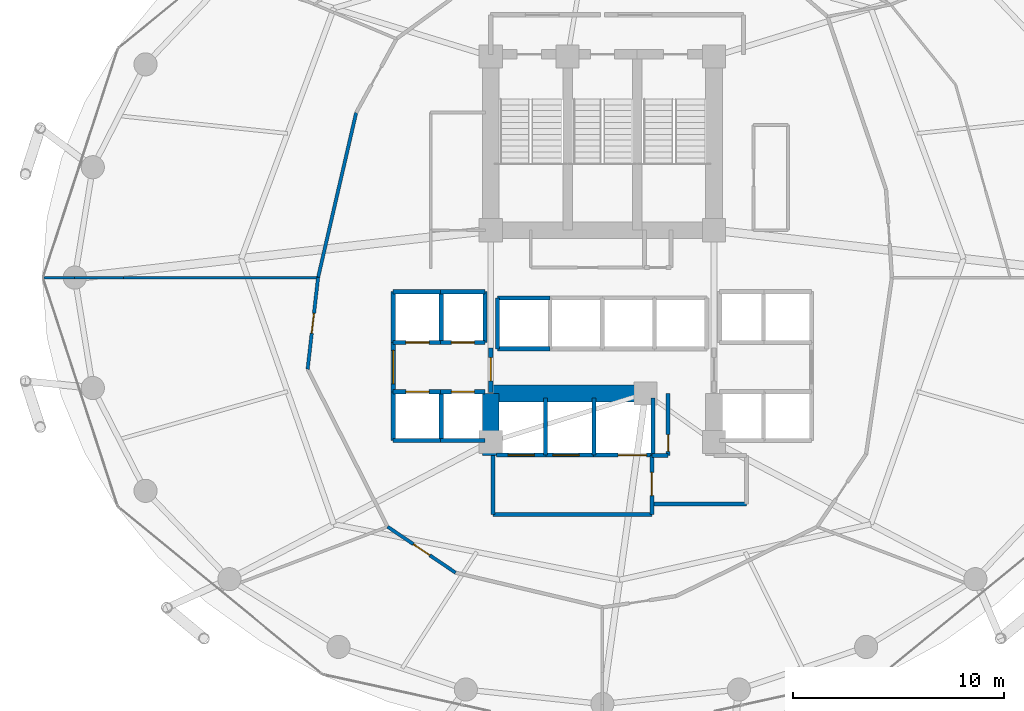
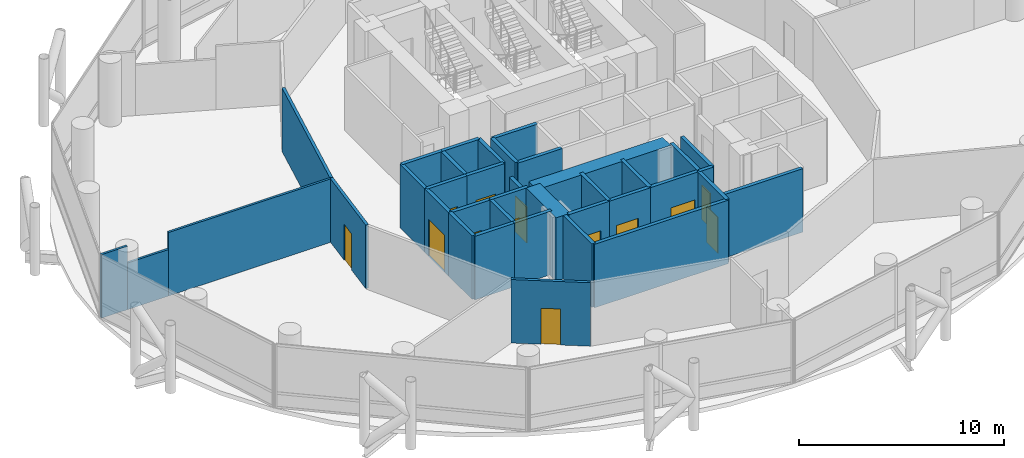
# One storey, part 21 of 25: 38 walls, 13 doors, 13 openings.
"""IFC4 building model written with IfcOpenShell, lengths in metres."""

from ifc_helpers import new_model, si_unit, direction, frame, frame_2d, origin, place, context, subcontext, project, spatial, rectangle, extrude, material, layer, layer_set, type_object, element, fill, save


model = new_model("IFC4")

# Units and contexts
model_context = context("Model", 3, precision=1e-05, world=origin(), true_north=direction((0.0, 1.0)))
body_context = subcontext(model_context, "Body", "Model", "MODEL_VIEW")
ifc_project = project(units=[si_unit("LENGTHUNIT", "METRE"), si_unit("AREAUNIT", "SQUARE_METRE"), si_unit("VOLUMEUNIT", "CUBIC_METRE"), si_unit("PLANEANGLEUNIT", "RADIAN"), si_unit("MASSUNIT", "GRAM", prefix="KILO")], contexts=[model_context])

# Site, building, storey
site_placement = place(None, origin())
site = spatial("IfcSite", under=ifc_project, at=site_placement, CompositionType="ELEMENT")
building_placement = place(site_placement, origin())
building = spatial("IfcBuilding", under=site, at=building_placement, Name="Nuhasar Tower", CompositionType="ELEMENT")
storey_placement = place(building_placement, frame((0.0, 0.0, 49.35009765625)))
storey = spatial("IfcBuildingStorey", under=building, at=storey_placement, Name="L11", CompositionType="ELEMENT", Elevation=49.35009765625)

# Walls
ifc_material_1 = material(Name="Concrete C80/95", Category="concrete")
ifc_layer_1 = layer(ifc_material_1, 0.800048828125)
ifc_layer_set_1 = layer_set([ifc_layer_1], Name="Concrete C80/95")
wall_type_1 = type_object("IfcWallType", Name="WL-CORE-800", PredefinedType="SHEAR", material=ifc_layer_set_1)
wall_1_placement = place(storey_placement, frame((33.699951171875, 18.35009765625, 0.0), z_axis=(0.0, 0.0, 1.0), x_axis=(0.0, 1.0, 0.0)))
element("IfcWall", 1, at=wall_1_placement, inside=storey, type_object=wall_type_1, Name="L11 Core Shear Wall CW-SW CW-800", PredefinedType="SHEAR", context=body_context, shape_type="SweptSolid", body=[
    extrude(rectangle(XDim=2.949951171875, YDim=0.800048828125, at=frame_2d((1.47509765625, 0.0))), origin(), (0.0, 0.0, 1.0), 3.789794921875),
])
wall_2_placement = place(storey_placement, frame((33.699951171875, 21.300048828125, 0.0), z_axis=(0.0, 0.0, 1.0), x_axis=(1.0, 0.0, 0.0)))
element("IfcWall", 2, at=wall_2_placement, inside=storey, type_object=wall_type_1, Name="L11 Core Shear Wall CW-S1 CW-800", PredefinedType="SHEAR", context=body_context, shape_type="SweptSolid", body=[
    extrude(rectangle(XDim=7.550048828125, YDim=0.800048828125, at=frame_2d((3.77490234375, 0.0))), origin(), (0.0, 0.0, 1.0), 3.789794921875),
])
ifc_material_2 = material(Name="Gypsum Board", Category="gypsum")
ifc_layer_2 = layer(ifc_material_2, 0.159912109375)
ifc_layer_set_2 = layer_set([ifc_layer_2], Name="Gypsum Board")
wall_type_2 = type_object("IfcWallType", Name="WL-CORR-160", PredefinedType="PARTITIONING", material=ifc_layer_set_2)
wall_3_placement = place(storey_placement, frame((27.30908203125, 34.6298828125, 0.0), z_axis=(0.0, 0.0, 1.0), x_axis=(-0.225119097915, -0.974331253606, 0.0)))
element("IfcWall", 3, at=wall_3_placement, inside=storey, type_object=wall_type_2, Name="L11 Interior Partition CORR-20", PredefinedType="PARTITIONING", context=body_context, shape_type="SweptSolid", body=[
    extrude(rectangle(XDim=8.0361328125, YDim=0.159912109375, at=frame_2d((4.01806640625, 0.0))), origin(), (0.0, 0.0, 1.0), 3.789794921875),
])

# Wall, opening, door
wall_4_placement = place(storey_placement, frame((25.0048828125, 22.449951171875, 0.0), z_axis=(0.0, 0.0, 1.0), x_axis=(0.113087354365, 0.993585049345, 0.0)))
wall_4 = element("IfcWall", 4, at=wall_4_placement, inside=storey, type_object=wall_type_2, Name="L11 Interior Partition CORR-24", PredefinedType="PARTITIONING", context=body_context, shape_type="SweptSolid", body=[
    extrude(rectangle(XDim=4.378173828125, YDim=0.159912109375, at=frame_2d((2.18896484375, 0.0))), origin(), (0.0, 0.0, 1.0), 3.789794921875),
])
opening_1_placement = place(wall_4_placement, frame((1.714111328125, 0.0, 0.0)))
opening_1 = element("IfcOpeningElement", 5, at=opening_1_placement, cuts=wall_4, Name="Opening DO-01", PredefinedType="OPENING", context=body_context, shape_type="SweptSolid", body=[
    extrude(rectangle(XDim=0.949951171875, YDim=2.14990234375, at=frame_2d((0.47509765625, 1.074951171875))), frame((0.0, 0.08984375, 0.0), z_axis=(0.0, -1.0, 0.0), x_axis=(1.0, 0.0, 0.0)), (0.0, 0.0, 1.0), 0.179931640625),
])
ifc_material_3 = material(Name="Timber Oak", Category="wood")
door_type_1 = type_object("IfcDoorType", Name="DR-OFFICE-FD30-950", OperationType="NOTDEFINED", PredefinedType="DOOR", material=ifc_material_3)
door_1_placement = place(opening_1_placement, origin())
door_1 = element("IfcDoor", 6, at=door_1_placement, inside=storey, type_object=door_type_1, Name="L11 Law Reference Library Entry Door", OperationType="SINGLE_SWING_LEFT", OverallHeight=2.14990234375, OverallWidth=0.949951171875, PredefinedType="DOOR", context=body_context, shape_type="SweptSolid", body=[
    extrude(rectangle(XDim=0.949951171875, YDim=2.14990234375, at=frame_2d((0.47509765625, 1.074951171875))), frame((0.0, 0.02490234375, 0.0), z_axis=(0.0, -1.0, 0.0), x_axis=(1.0, 0.0, 0.0)), (0.0, 0.0, 1.0), 0.050048828125),
])
fill(opening_1, door_1)

wall_5_placement = place(storey_placement, frame((32.027099609375, 12.7900390625, 0.0), z_axis=(0.0, 0.0, 1.0), x_axis=(-0.828570886609, 0.559884171828, 0.0)))
wall_5 = element("IfcWall", 7, at=wall_5_placement, inside=storey, type_object=wall_type_2, Name="L11 Interior Partition CORR-30", PredefinedType="PARTITIONING", context=body_context, shape_type="SweptSolid", body=[
    extrude(rectangle(XDim=3.8935546875, YDim=0.159912109375, at=frame_2d((1.94677734375, 0.0))), origin(), (0.0, 0.0, 1.0), 3.789794921875),
])
opening_2_placement = place(wall_5_placement, frame((1.471923828125, 0.0, 0.0)))
opening_2 = element("IfcOpeningElement", 8, at=opening_2_placement, cuts=wall_5, Name="Opening DO-01", PredefinedType="OPENING", context=body_context, shape_type="SweptSolid", body=[
    extrude(rectangle(XDim=0.949951171875, YDim=2.14990234375, at=frame_2d((0.47509765625, 1.074951171875))), frame((0.0, 0.08984375, 0.0), z_axis=(0.0, -1.0, 0.0), x_axis=(1.0, 0.0, 0.0)), (0.0, 0.0, 1.0), 0.179931640625),
])
door_2_placement = place(opening_2_placement, origin())
door_2 = element("IfcDoor", 9, at=door_2_placement, inside=storey, type_object=door_type_1, Name="L11 Legal Chambers C Entry Door", OperationType="SINGLE_SWING_LEFT", OverallHeight=2.14990234375, OverallWidth=0.949951171875, PredefinedType="DOOR", context=body_context, shape_type="SweptSolid", body=[
    extrude(rectangle(XDim=0.949951171875, YDim=2.14990234375, at=frame_2d((0.47509765625, 1.074951171875))), frame((0.0, 0.02490234375, 0.0), z_axis=(0.0, -1.0, 0.0), x_axis=(1.0, 0.0, 0.0)), (0.0, 0.0, 1.0), 0.050048828125),
])
fill(opening_2, door_2)

ifc_material_4 = material(Name="Concrete C45/55", Category="concrete")
ifc_layer_3 = layer(ifc_material_4, 0.199951171875)
ifc_layer_set_3 = layer_set([ifc_layer_3], Name="Concrete C45/55")
wall_type_3 = type_object("IfcWallType", Name="WL-LOBBY-200", PredefinedType="SOLIDWALL", material=ifc_layer_set_3)
wall_6_placement = place(storey_placement, frame((29.070068359375, 21.3798828125, 0.0), z_axis=(0.0, 0.0, 1.0), x_axis=(0.0, 1.0, 0.0)))
wall_6 = element("IfcWall", 10, at=wall_6_placement, inside=storey, type_object=wall_type_3, Name="L11 Interior Partition LLBL-W", PredefinedType="SOLIDWALL", context=body_context, shape_type="SweptSolid", body=[
    extrude(rectangle(XDim=2.340087890625, YDim=0.199951171875, at=frame_2d((1.169921875, 0.0))), origin(), (0.0, 0.0, 1.0), 3.789794921875),
])
opening_3_placement = place(wall_6_placement, frame((0.3701171875, 0.0, 0.0)))
opening_3 = element("IfcOpeningElement", 11, at=opening_3_placement, cuts=wall_6, Name="Opening DC-01", PredefinedType="OPENING", context=body_context, shape_type="SweptSolid", body=[
    extrude(rectangle(XDim=1.60009765625, YDim=2.199951171875, at=frame_2d((0.800048828125, 1.10009765625))), frame((0.0, 0.10986328125, 0.0), z_axis=(0.0, -1.0, 0.0), x_axis=(1.0, 0.0, 0.0)), (0.0, 0.0, 1.0), 0.219970703125),
])
ifc_material_5 = material(Name="Steel S355", Category="steel")
door_type_2 = type_object("IfcDoorType", Name="DR-CORR-FD60-1600", OperationType="DOUBLE_DOOR_SINGLE_SWING", PredefinedType="DOOR", material=ifc_material_5)
door_3_placement = place(opening_3_placement, origin())
door_3 = element("IfcDoor", 12, at=door_3_placement, inside=storey, type_object=door_type_2, Name="L11 Low-Rise Lift Lobby West Entry", OperationType="DOUBLE_DOOR_SINGLE_SWING", OverallHeight=2.199951171875, OverallWidth=1.60009765625, PredefinedType="DOOR", context=body_context, shape_type="SweptSolid", body=[
    extrude(rectangle(XDim=1.60009765625, YDim=2.199951171875, at=frame_2d((0.800048828125, 1.10009765625))), frame((0.0, 0.02490234375, 0.0), z_axis=(0.0, -1.0, 0.0), x_axis=(1.0, 0.0, 0.0)), (0.0, 0.0, 1.0), 0.050048828125),
])
fill(opening_3, door_3)

wall_7_placement = place(storey_placement, frame((33.699951171875, 21.35009765625, 0.0), z_axis=(0.0, 0.0, 1.0), x_axis=(0.0, 1.0, 0.0)))
wall_7 = element("IfcWall", 13, at=wall_7_placement, inside=storey, type_object=wall_type_3, Name="L11 Interior Partition LLBH-W", PredefinedType="SOLIDWALL", context=body_context, shape_type="SweptSolid", body=[
    extrude(rectangle(XDim=2.099853515625, YDim=0.199951171875, at=frame_2d((1.0498046875, 0.0))), origin(), (0.0, 0.0, 1.0), 3.010009765625),
])
opening_4_placement = place(wall_7_placement, frame((0.550048828125, 0.0, 0.0)))
opening_4 = element("IfcOpeningElement", 14, at=opening_4_placement, cuts=wall_7, Name="Opening DS-02", PredefinedType="OPENING", context=body_context, shape_type="SweptSolid", body=[
    extrude(rectangle(XDim=1.10009765625, YDim=2.14990234375, at=frame_2d((0.550048828125, 1.074951171875))), frame((0.0, 0.10986328125, 0.0), z_axis=(0.0, -1.0, 0.0), x_axis=(1.0, 0.0, 0.0)), (0.0, 0.0, 1.0), 0.219970703125),
])
door_type_3 = type_object("IfcDoorType", Name="DR-FFL-FD120-1100", OperationType="NOTDEFINED", PredefinedType="DOOR", material=ifc_material_5)
door_4_placement = place(opening_4_placement, origin())
door_4 = element("IfcDoor", 15, at=door_4_placement, inside=storey, type_object=door_type_3, Name="L11 High-Rise Lobby West Door", OperationType="SINGLE_SWING_RIGHT", OverallHeight=2.14990234375, OverallWidth=1.10009765625, PredefinedType="DOOR", context=body_context, shape_type="SweptSolid", body=[
    extrude(rectangle(XDim=1.10009765625, YDim=2.14990234375, at=frame_2d((0.550048828125, 1.074951171875))), frame((0.0, 0.02490234375, 0.0), z_axis=(0.0, -1.0, 0.0), x_axis=(1.0, 0.0, 0.0)), (0.0, 0.0, 1.0), 0.050048828125),
])
fill(opening_4, door_4)

# Walls
wall_8_placement = place(storey_placement, frame((33.800048828125, 15.550048828125, 0.0), z_axis=(0.0, 0.0, 1.0), x_axis=(1.0, 0.0, 0.0)))
element("IfcWall", 16, at=wall_8_placement, inside=storey, type_object=wall_type_3, Name="L11 Interior Partition FFL-S", PredefinedType="SOLIDWALL", context=body_context, shape_type="SweptSolid", body=[
    extrude(rectangle(XDim=7.550048828125, YDim=0.199951171875, at=frame_2d((3.77490234375, 0.0))), origin(), (0.0, 0.0, 1.0), 3.789794921875),
])
wall_9_placement = place(storey_placement, frame((33.800048828125, 15.550048828125, 0.0), z_axis=(0.0, 0.0, 1.0), x_axis=(0.0, 1.0, 0.0)))
element("IfcWall", 17, at=wall_9_placement, inside=storey, type_object=wall_type_3, Name="L11 Interior Partition FFL-W", PredefinedType="SOLIDWALL", context=body_context, shape_type="SweptSolid", body=[
    extrude(rectangle(XDim=2.800048828125, YDim=0.199951171875, at=frame_2d((1.39990234375, 0.0))), origin(), (0.0, 0.0, 1.0), 3.789794921875),
])

# Wall, opening, door
wall_10_placement = place(storey_placement, frame((41.35009765625, 15.550048828125, 0.0), z_axis=(0.0, 0.0, 1.0), x_axis=(0.0, 1.0, 0.0)))
wall_10 = element("IfcWall", 18, at=wall_10_placement, inside=storey, type_object=wall_type_3, Name="L11 Interior Partition FFL-E", PredefinedType="SOLIDWALL", context=body_context, shape_type="SweptSolid", body=[
    extrude(rectangle(XDim=2.800048828125, YDim=0.199951171875, at=frame_2d((1.39990234375, 0.0))), origin(), (0.0, 0.0, 1.0), 3.789794921875),
])
opening_5_placement = place(wall_10_placement, frame((0.89990234375, 0.0, 0.0)))
opening_5 = element("IfcOpeningElement", 19, at=opening_5_placement, cuts=wall_10, Name="Opening DS-02", PredefinedType="OPENING", context=body_context, shape_type="SweptSolid", body=[
    extrude(rectangle(XDim=1.10009765625, YDim=2.14990234375, at=frame_2d((0.550048828125, 1.074951171875))), frame((0.0, 0.10986328125, 0.0), z_axis=(0.0, -1.0, 0.0), x_axis=(1.0, 0.0, 0.0)), (0.0, 0.0, 1.0), 0.219970703125),
])
door_5_placement = place(opening_5_placement, origin())
door_5 = element("IfcDoor", 20, at=door_5_placement, inside=storey, type_object=door_type_3, Name="L11 Firefighting Lobby Door", OperationType="SINGLE_SWING_RIGHT", OverallHeight=2.14990234375, OverallWidth=1.10009765625, PredefinedType="DOOR", context=body_context, shape_type="SweptSolid", body=[
    extrude(rectangle(XDim=1.10009765625, YDim=2.14990234375, at=frame_2d((0.550048828125, 1.074951171875))), frame((0.0, 0.02490234375, 0.0), z_axis=(0.0, -1.0, 0.0), x_axis=(1.0, 0.0, 0.0)), (0.0, 0.0, 1.0), 0.050048828125),
])
fill(opening_5, door_5)

# Walls
wall_11_placement = place(storey_placement, frame((41.35009765625, 16.050048828125, 0.0), z_axis=(0.0, 0.0, 1.0), x_axis=(1.0, 0.0, 0.0)))
element("IfcWall", 21, at=wall_11_placement, inside=storey, type_object=wall_type_3, Name="L11 Interior Partition SVLV-S", PredefinedType="SOLIDWALL", context=body_context, shape_type="SweptSolid", body=[
    extrude(rectangle(XDim=4.5, YDim=0.199951171875, at=frame_2d((2.25, 0.0))), origin(), (0.0, 0.0, 1.0), 3.789794921875),
])
ifc_layer_4 = layer(ifc_material_2, 0.125)
ifc_layer_set_4 = layer_set([ifc_layer_4], Name="Gypsum Board")
wall_type_4 = type_object("IfcWallType", Name="WL-PART-125", PredefinedType="PARTITIONING", material=ifc_layer_set_4)
wall_12_placement = place(storey_placement, frame((25.5, 26.800048828125, 0.0), z_axis=(0.0, 0.0, 1.0), x_axis=(-1.0, 0.0, 0.0)))
element("IfcWall", 22, at=wall_12_placement, inside=storey, type_object=wall_type_4, Name="L11 Interior Partition ORAD-24", PredefinedType="PARTITIONING", context=body_context, shape_type="SweptSolid", body=[
    extrude(rectangle(XDim=9.22998046875, YDim=0.125, at=frame_2d((4.614990234375, 0.0))), origin(), (0.0, 0.0, 1.0), 3.789794921875),
])
wall_13_placement = place(storey_placement, frame((16.27001953125, 26.800048828125, 0.0), z_axis=(0.0, 0.0, 1.0), x_axis=(-1.0, 0.0, 0.0)))
element("IfcWall", 23, at=wall_13_placement, inside=storey, type_object=wall_type_4, Name="L11 Interior Partition ORAD-24", PredefinedType="PARTITIONING", context=body_context, shape_type="SweptSolid", body=[
    extrude(rectangle(XDim=2.326904296875, YDim=0.125, at=frame_2d((1.16357421875, 0.0))), origin(), (0.0, 0.0, 1.0), 2.77978515625),
])
wall_14_placement = place(storey_placement, frame((13.943115234375, 26.800048828125, 0.0), z_axis=(0.0, 0.0, 1.0), x_axis=(-1.0, 0.0, 0.0)))
element("IfcWall", 24, at=wall_14_placement, inside=storey, type_object=wall_type_4, Name="L11 Interior Partition ORAD-24", PredefinedType="PARTITIONING", context=body_context, shape_type="SweptSolid", body=[
    extrude(rectangle(XDim=1.468017578125, YDim=0.125, at=frame_2d((0.73388671875, 0.0))), origin(), (0.0, 0.0, 1.0), 3.789794921875),
])

# Wall, opening, door
ifc_layer_5 = layer(ifc_material_4, 0.199951171875)
ifc_layer_set_5 = layer_set([ifc_layer_5], Name="Concrete C45/55")
wall_type_5 = type_object("IfcWallType", Name="WL-SHAFT-200", PredefinedType="SOLIDWALL", material=ifc_layer_set_5)
wall_15_placement = place(storey_placement, frame((29.070068359375, 23.719970703125, 0.0), z_axis=(0.0, 0.0, 1.0), x_axis=(1.0, 0.0, 0.0)))
wall_15 = element("IfcWall", 25, at=wall_15_placement, inside=storey, type_object=wall_type_5, Name="L11 Interior Partition SHF-PL-L01-S", PredefinedType="SOLIDWALL", context=body_context, shape_type="SweptSolid", body=[
    extrude(rectangle(XDim=2.309814453125, YDim=0.199951171875, at=frame_2d((1.15478515625, 0.0))), origin(), (0.0, 0.0, 1.0), 3.789794921875),
])
opening_6_placement = place(wall_15_placement, frame((0.60498046875, 0.0, 0.0)))
opening_6 = element("IfcOpeningElement", 26, at=opening_6_placement, cuts=wall_15, Name="Opening LD-L01", PredefinedType="OPENING", context=body_context, shape_type="SweptSolid", body=[
    extrude(rectangle(XDim=1.10009765625, YDim=2.14990234375, at=frame_2d((0.550048828125, 1.074951171875))), frame((0.0, 0.10986328125, 0.0), z_axis=(0.0, -1.0, 0.0), x_axis=(1.0, 0.0, 0.0)), (0.0, 0.0, 1.0), 0.219970703125),
])
ifc_material_6 = material(Name="Stainless Steel 316L", Category="steel")
door_type_4 = type_object("IfcDoorType", Name="LD-PAX-1100", OperationType="DOUBLE_DOOR_SLIDING", PredefinedType="DOOR", material=ifc_material_6)
door_6_placement = place(opening_6_placement, origin())
door_6 = element("IfcDoor", 27, at=door_6_placement, inside=storey, type_object=door_type_4, Name="L11 Lift Landing Door PL-L01", OperationType="DOUBLE_DOOR_SLIDING", OverallHeight=2.14990234375, OverallWidth=1.10009765625, PredefinedType="DOOR", context=body_context, shape_type="SweptSolid", body=[
    extrude(rectangle(XDim=1.10009765625, YDim=2.14990234375, at=frame_2d((0.550048828125, 1.074951171875))), frame((0.0, 0.02490234375, 0.0), z_axis=(0.0, -1.0, 0.0), x_axis=(1.0, 0.0, 0.0)), (0.0, 0.0, 1.0), 0.050048828125),
])
fill(opening_6, door_6)

# Walls
wall_16_placement = place(storey_placement, frame((29.070068359375, 26.1298828125, 0.0), z_axis=(0.0, 0.0, 1.0), x_axis=(1.0, 0.0, 0.0)))
element("IfcWall", 28, at=wall_16_placement, inside=storey, type_object=wall_type_5, Name="L11 Interior Partition SHF-PL-L01-N", PredefinedType="SOLIDWALL", context=body_context, shape_type="SweptSolid", body=[
    extrude(rectangle(XDim=2.309814453125, YDim=0.199951171875, at=frame_2d((1.15478515625, 0.0))), origin(), (0.0, 0.0, 1.0), 3.789794921875),
])
for number, where, z_axis, x_axis, name in (
    (29, (29.070068359375, 23.719970703125, 0.0), (0.0, 0.0, 1.0), (0.0, 1.0, 0.0), "L11 Interior Partition SHF-PL-L01-W"),
    (30, (31.35009765625, 23.719970703125, 0.0), (0.0, 0.0, 1.0), (0.0, 1.0, 0.0), "L11 Interior Partition SHF-PL-L01-E"),
):
    element("IfcWall", number, at=place(storey_placement, frame(where, z_axis=z_axis, x_axis=x_axis)), inside=storey, type_object=wall_type_5, Name=name, PredefinedType="SOLIDWALL", context=body_context, shape_type="SweptSolid", body=[
        extrude(rectangle(XDim=2.409912109375, YDim=0.199951171875, at=frame_2d((1.205078125, 0.0))), origin(), (0.0, 0.0, 1.0), 3.789794921875),
    ])

# Wall, opening, door
wall_17_placement = place(storey_placement, frame((31.320068359375, 23.719970703125, 0.0), z_axis=(0.0, 0.0, 1.0), x_axis=(1.0, 0.0, 0.0)))
wall_17 = element("IfcWall", 31, at=wall_17_placement, inside=storey, type_object=wall_type_5, Name="L11 Interior Partition SHF-PL-L02-S", PredefinedType="SOLIDWALL", context=body_context, shape_type="SweptSolid", body=[
    extrude(rectangle(XDim=2.10986328125, YDim=0.199951171875, at=frame_2d((1.054931640625, 0.0))), origin(), (0.0, 0.0, 1.0), 3.789794921875),
])
opening_7_placement = place(wall_17_placement, frame((0.5048828125, 0.0, 0.0)))
opening_7 = element("IfcOpeningElement", 32, at=opening_7_placement, cuts=wall_17, Name="Opening LD-L02", PredefinedType="OPENING", context=body_context, shape_type="SweptSolid", body=[
    extrude(rectangle(XDim=1.10009765625, YDim=2.14990234375, at=frame_2d((0.550048828125, 1.074951171875))), frame((0.0, 0.10986328125, 0.0), z_axis=(0.0, -1.0, 0.0), x_axis=(1.0, 0.0, 0.0)), (0.0, 0.0, 1.0), 0.219970703125),
])
door_7_placement = place(opening_7_placement, origin())
door_7 = element("IfcDoor", 33, at=door_7_placement, inside=storey, type_object=door_type_4, Name="L11 Lift Landing Door PL-L02", OperationType="DOUBLE_DOOR_SLIDING", OverallHeight=2.14990234375, OverallWidth=1.10009765625, PredefinedType="DOOR", context=body_context, shape_type="SweptSolid", body=[
    extrude(rectangle(XDim=1.10009765625, YDim=2.14990234375, at=frame_2d((0.550048828125, 1.074951171875))), frame((0.0, 0.02490234375, 0.0), z_axis=(0.0, -1.0, 0.0), x_axis=(1.0, 0.0, 0.0)), (0.0, 0.0, 1.0), 0.050048828125),
])
fill(opening_7, door_7)

# Walls
wall_18_placement = place(storey_placement, frame((31.320068359375, 26.1298828125, 0.0), z_axis=(0.0, 0.0, 1.0), x_axis=(1.0, 0.0, 0.0)))
element("IfcWall", 34, at=wall_18_placement, inside=storey, type_object=wall_type_5, Name="L11 Interior Partition SHF-PL-L02-N", PredefinedType="SOLIDWALL", context=body_context, shape_type="SweptSolid", body=[
    extrude(rectangle(XDim=2.10986328125, YDim=0.199951171875, at=frame_2d((1.054931640625, 0.0))), origin(), (0.0, 0.0, 1.0), 3.789794921875),
])
wall_19_placement = place(storey_placement, frame((33.429931640625, 23.719970703125, 0.0), z_axis=(0.0, 0.0, 1.0), x_axis=(0.0, 1.0, 0.0)))
element("IfcWall", 35, at=wall_19_placement, inside=storey, type_object=wall_type_5, Name="L11 Interior Partition SHF-PL-L02-E", PredefinedType="SOLIDWALL", context=body_context, shape_type="SweptSolid", body=[
    extrude(rectangle(XDim=2.409912109375, YDim=0.199951171875, at=frame_2d((1.205078125, 0.0))), origin(), (0.0, 0.0, 1.0), 3.789794921875),
])
wall_20_placement = place(storey_placement, frame((29.070068359375, 19.070068359375, 0.0), z_axis=(0.0, 0.0, 1.0), x_axis=(1.0, 0.0, 0.0)))
element("IfcWall", 36, at=wall_20_placement, inside=storey, type_object=wall_type_5, Name="L11 Interior Partition SHF-PL-L03-S", PredefinedType="SOLIDWALL", context=body_context, shape_type="SweptSolid", body=[
    extrude(rectangle(XDim=2.309814453125, YDim=0.199951171875, at=frame_2d((1.15478515625, 0.0))), origin(), (0.0, 0.0, 1.0), 3.789794921875),
])

# Wall, opening, door
wall_21_placement = place(storey_placement, frame((29.070068359375, 21.3798828125, 0.0), z_axis=(0.0, 0.0, 1.0), x_axis=(1.0, 0.0, 0.0)))
wall_21 = element("IfcWall", 37, at=wall_21_placement, inside=storey, type_object=wall_type_5, Name="L11 Interior Partition SHF-PL-L03-N", PredefinedType="SOLIDWALL", context=body_context, shape_type="SweptSolid", body=[
    extrude(rectangle(XDim=2.309814453125, YDim=0.199951171875, at=frame_2d((1.15478515625, 0.0))), origin(), (0.0, 0.0, 1.0), 3.789794921875),
])
opening_8_placement = place(wall_21_placement, frame((0.60498046875, 0.0, 0.0)))
opening_8 = element("IfcOpeningElement", 38, at=opening_8_placement, cuts=wall_21, Name="Opening LD-L03", PredefinedType="OPENING", context=body_context, shape_type="SweptSolid", body=[
    extrude(rectangle(XDim=1.10009765625, YDim=2.14990234375, at=frame_2d((0.550048828125, 1.074951171875))), frame((0.0, 0.10986328125, 0.0), z_axis=(0.0, -1.0, 0.0), x_axis=(1.0, 0.0, 0.0)), (0.0, 0.0, 1.0), 0.219970703125),
])
door_8_placement = place(opening_8_placement, origin())
door_8 = element("IfcDoor", 39, at=door_8_placement, inside=storey, type_object=door_type_4, Name="L11 Lift Landing Door PL-L03", OperationType="DOUBLE_DOOR_SLIDING", OverallHeight=2.14990234375, OverallWidth=1.10009765625, PredefinedType="DOOR", context=body_context, shape_type="SweptSolid", body=[
    extrude(rectangle(XDim=1.10009765625, YDim=2.14990234375, at=frame_2d((0.550048828125, 1.074951171875))), frame((0.0, 0.02490234375, 0.0), z_axis=(0.0, -1.0, 0.0), x_axis=(1.0, 0.0, 0.0)), (0.0, 0.0, 1.0), 0.050048828125),
])
fill(opening_8, door_8)

# Walls
for number, where, z_axis, x_axis, name in (
    (40, (29.070068359375, 19.070068359375, 0.0), (0.0, 0.0, 1.0), (0.0, 1.0, 0.0), "L11 Interior Partition SHF-PL-L03-W"),
    (41, (31.35009765625, 19.070068359375, 0.0), (0.0, 0.0, 1.0), (0.0, 1.0, 0.0), "L11 Interior Partition SHF-PL-L03-E"),
):
    element("IfcWall", number, at=place(storey_placement, frame(where, z_axis=z_axis, x_axis=x_axis)), inside=storey, type_object=wall_type_5, Name=name, PredefinedType="SOLIDWALL", context=body_context, shape_type="SweptSolid", body=[
        extrude(rectangle(XDim=2.309814453125, YDim=0.199951171875, at=frame_2d((1.15478515625, 0.0))), origin(), (0.0, 0.0, 1.0), 3.789794921875),
    ])
wall_22_placement = place(storey_placement, frame((31.320068359375, 19.070068359375, 0.0), z_axis=(0.0, 0.0, 1.0), x_axis=(1.0, 0.0, 0.0)))
element("IfcWall", 42, at=wall_22_placement, inside=storey, type_object=wall_type_5, Name="L11 Interior Partition SHF-PL-L04-S", PredefinedType="SOLIDWALL", context=body_context, shape_type="SweptSolid", body=[
    extrude(rectangle(XDim=2.10986328125, YDim=0.199951171875, at=frame_2d((1.054931640625, 0.0))), origin(), (0.0, 0.0, 1.0), 3.789794921875),
])

# Wall, opening, door
wall_23_placement = place(storey_placement, frame((31.320068359375, 21.3798828125, 0.0), z_axis=(0.0, 0.0, 1.0), x_axis=(1.0, 0.0, 0.0)))
wall_23 = element("IfcWall", 43, at=wall_23_placement, inside=storey, type_object=wall_type_5, Name="L11 Interior Partition SHF-PL-L04-N", PredefinedType="SOLIDWALL", context=body_context, shape_type="SweptSolid", body=[
    extrude(rectangle(XDim=2.10986328125, YDim=0.199951171875, at=frame_2d((1.054931640625, 0.0))), origin(), (0.0, 0.0, 1.0), 3.789794921875),
])
opening_9_placement = place(wall_23_placement, frame((0.5048828125, 0.0, 0.0)))
opening_9 = element("IfcOpeningElement", 44, at=opening_9_placement, cuts=wall_23, Name="Opening LD-L04", PredefinedType="OPENING", context=body_context, shape_type="SweptSolid", body=[
    extrude(rectangle(XDim=1.10009765625, YDim=2.14990234375, at=frame_2d((0.550048828125, 1.074951171875))), frame((0.0, 0.10986328125, 0.0), z_axis=(0.0, -1.0, 0.0), x_axis=(1.0, 0.0, 0.0)), (0.0, 0.0, 1.0), 0.219970703125),
])
door_9_placement = place(opening_9_placement, origin())
door_9 = element("IfcDoor", 45, at=door_9_placement, inside=storey, type_object=door_type_4, Name="L11 Lift Landing Door PL-L04", OperationType="DOUBLE_DOOR_SLIDING", OverallHeight=2.14990234375, OverallWidth=1.10009765625, PredefinedType="DOOR", context=body_context, shape_type="SweptSolid", body=[
    extrude(rectangle(XDim=1.10009765625, YDim=2.14990234375, at=frame_2d((0.550048828125, 1.074951171875))), frame((0.0, 0.02490234375, 0.0), z_axis=(0.0, -1.0, 0.0), x_axis=(1.0, 0.0, 0.0)), (0.0, 0.0, 1.0), 0.050048828125),
])
fill(opening_9, door_9)

# Walls
for number, where, z_axis, x_axis, name in (
    (46, (34.02001953125, 23.419921875, 0.0), (0.0, 0.0, 1.0), (1.0, 0.0, 0.0), "L11 Interior Partition SHF-PL-H01-S"),
    (47, (34.02001953125, 25.830078125, 0.0), (0.0, 0.0, 1.0), (1.0, 0.0, 0.0), "L11 Interior Partition SHF-PL-H01-N"),
):
    element("IfcWall", number, at=place(storey_placement, frame(where, z_axis=z_axis, x_axis=x_axis)), inside=storey, type_object=wall_type_5, Name=name, PredefinedType="SOLIDWALL", context=body_context, shape_type="SweptSolid", body=[
        extrude(rectangle(XDim=2.5, YDim=0.199951171875, at=frame_2d((1.25, 0.0))), origin(), (0.0, 0.0, 1.0), 3.789794921875),
    ])
wall_24_placement = place(storey_placement, frame((34.02001953125, 23.419921875, 0.0), z_axis=(0.0, 0.0, 1.0), x_axis=(0.0, 1.0, 0.0)))
element("IfcWall", 48, at=wall_24_placement, inside=storey, type_object=wall_type_5, Name="L11 Interior Partition SHF-PL-H01-W", PredefinedType="SOLIDWALL", context=body_context, shape_type="SweptSolid", body=[
    extrude(rectangle(XDim=2.41015625, YDim=0.199951171875, at=frame_2d((1.205078125, 0.0))), origin(), (0.0, 0.0, 1.0), 3.789794921875),
])

# Wall, opening, door
wall_25_placement = place(storey_placement, frame((33.969970703125, 18.3701171875, 0.0), z_axis=(0.0, 0.0, 1.0), x_axis=(1.0, 0.0, 0.0)))
wall_25 = element("IfcWall", 49, at=wall_25_placement, inside=storey, type_object=wall_type_5, Name="L11 Interior Partition SHF-FFL-01-S", PredefinedType="SOLIDWALL", context=body_context, shape_type="SweptSolid", body=[
    extrude(rectangle(XDim=2.360107421875, YDim=0.199951171875, at=frame_2d((1.18017578125, 0.0))), origin(), (0.0, 0.0, 1.0), 3.789794921875),
])
opening_10_placement = place(wall_25_placement, frame((0.554931640625, 0.0, 0.0)))
opening_10 = element("IfcOpeningElement", 50, at=opening_10_placement, cuts=wall_25, Name="Opening LD-F01", PredefinedType="OPENING", context=body_context, shape_type="SweptSolid", body=[
    extrude(rectangle(XDim=1.25, YDim=2.199951171875, at=frame_2d((0.625, 1.10009765625))), frame((0.0, 0.10986328125, 0.0), z_axis=(0.0, -1.0, 0.0), x_axis=(1.0, 0.0, 0.0)), (0.0, 0.0, 1.0), 0.219970703125),
])
door_type_5 = type_object("IfcDoorType", Name="LD-FFL-1250", OperationType="DOUBLE_DOOR_SLIDING", PredefinedType="DOOR", material=ifc_material_6)
door_10_placement = place(opening_10_placement, origin())
door_10 = element("IfcDoor", 51, at=door_10_placement, inside=storey, type_object=door_type_5, Name="L11 Lift Landing Door FFL-01", OperationType="DOUBLE_DOOR_SLIDING", OverallHeight=2.199951171875, OverallWidth=1.25, PredefinedType="DOOR", context=body_context, shape_type="SweptSolid", body=[
    extrude(rectangle(XDim=1.25, YDim=2.199951171875, at=frame_2d((0.625, 1.10009765625))), frame((0.0, 0.02490234375, 0.0), z_axis=(0.0, -1.0, 0.0), x_axis=(1.0, 0.0, 0.0)), (0.0, 0.0, 1.0), 0.050048828125),
])
fill(opening_10, door_10)

# Wall
wall_26_placement = place(storey_placement, frame((36.300048828125, 18.3701171875, 0.0), z_axis=(0.0, 0.0, 1.0), x_axis=(0.0, 1.0, 0.0)))
element("IfcWall", 52, at=wall_26_placement, inside=storey, type_object=wall_type_5, Name="L11 Interior Partition SHF-FFL-01-E", PredefinedType="SOLIDWALL", context=body_context, shape_type="SweptSolid", body=[
    extrude(rectangle(XDim=2.7099609375, YDim=0.199951171875, at=frame_2d((1.35498046875, 0.0))), origin(), (0.0, 0.0, 1.0), 3.789794921875),
])

# Wall, opening, door
wall_27_placement = place(storey_placement, frame((36.27001953125, 18.3701171875, 0.0), z_axis=(0.0, 0.0, 1.0), x_axis=(1.0, 0.0, 0.0)))
wall_27 = element("IfcWall", 53, at=wall_27_placement, inside=storey, type_object=wall_type_5, Name="L11 Interior Partition SHF-FFL-02-S", PredefinedType="SOLIDWALL", context=body_context, shape_type="SweptSolid", body=[
    extrude(rectangle(XDim=2.35986328125, YDim=0.199951171875, at=frame_2d((1.179931640625, 0.0))), origin(), (0.0, 0.0, 1.0), 3.789794921875),
])
opening_11_placement = place(wall_27_placement, frame((0.3798828125, 0.0, 0.0)))
opening_11 = element("IfcOpeningElement", 54, at=opening_11_placement, cuts=wall_27, Name="Opening LD-F02", PredefinedType="OPENING", context=body_context, shape_type="SweptSolid", body=[
    extrude(rectangle(XDim=1.25, YDim=2.199951171875, at=frame_2d((0.625, 1.10009765625))), frame((0.0, 0.10986328125, 0.0), z_axis=(0.0, -1.0, 0.0), x_axis=(1.0, 0.0, 0.0)), (0.0, 0.0, 1.0), 0.219970703125),
])
door_11_placement = place(opening_11_placement, origin())
door_11 = element("IfcDoor", 55, at=door_11_placement, inside=storey, type_object=door_type_5, Name="L11 Lift Landing Door FFL-02", OperationType="DOUBLE_DOOR_SLIDING", OverallHeight=2.199951171875, OverallWidth=1.25, PredefinedType="DOOR", context=body_context, shape_type="SweptSolid", body=[
    extrude(rectangle(XDim=1.25, YDim=2.199951171875, at=frame_2d((0.625, 1.10009765625))), frame((0.0, 0.02490234375, 0.0), z_axis=(0.0, -1.0, 0.0), x_axis=(1.0, 0.0, 0.0)), (0.0, 0.0, 1.0), 0.050048828125),
])
fill(opening_11, door_11)

# Wall
wall_28_placement = place(storey_placement, frame((38.60009765625, 18.3701171875, 0.0), z_axis=(0.0, 0.0, 1.0), x_axis=(0.0, 1.0, 0.0)))
element("IfcWall", 56, at=wall_28_placement, inside=storey, type_object=wall_type_5, Name="L11 Interior Partition SHF-FFL-02-E", PredefinedType="SOLIDWALL", context=body_context, shape_type="SweptSolid", body=[
    extrude(rectangle(XDim=2.7099609375, YDim=0.199951171875, at=frame_2d((1.35498046875, 0.0))), origin(), (0.0, 0.0, 1.0), 3.789794921875),
])

# Wall, opening, door
wall_29_placement = place(storey_placement, frame((38.570068359375, 18.3701171875, 0.0), z_axis=(0.0, 0.0, 1.0), x_axis=(1.0, 0.0, 0.0)))
wall_29 = element("IfcWall", 57, at=wall_29_placement, inside=storey, type_object=wall_type_5, Name="L11 Interior Partition SHF-SVL-01-S", PredefinedType="SOLIDWALL", context=body_context, shape_type="SweptSolid", body=[
    extrude(rectangle(XDim=2.829833984375, YDim=0.199951171875, at=frame_2d((1.4150390625, 0.0))), origin(), (0.0, 0.0, 1.0), 3.789794921875),
])
opening_12_placement = place(wall_29_placement, frame((1.179931640625, 0.0, 0.0)))
opening_12 = element("IfcOpeningElement", 58, at=opening_12_placement, cuts=wall_29, Name="Opening LD-S01", PredefinedType="OPENING", context=body_context, shape_type="SweptSolid", body=[
    extrude(rectangle(XDim=1.35009765625, YDim=2.179931640625, at=frame_2d((0.675048828125, 1.08984375))), frame((0.0, 0.10986328125, 0.0), z_axis=(0.0, -1.0, 0.0), x_axis=(1.0, 0.0, 0.0)), (0.0, 0.0, 1.0), 0.219970703125),
])
door_type_6 = type_object("IfcDoorType", Name="LD-SVL-1350", OperationType="DOUBLE_DOOR_SLIDING", PredefinedType="DOOR", material=ifc_material_6)
door_12_placement = place(opening_12_placement, origin())
door_12 = element("IfcDoor", 59, at=door_12_placement, inside=storey, type_object=door_type_6, Name="L11 Lift Landing Door SVL-01", OperationType="DOUBLE_DOOR_SLIDING", OverallHeight=2.179931640625, OverallWidth=1.35009765625, PredefinedType="DOOR", context=body_context, shape_type="SweptSolid", body=[
    extrude(rectangle(XDim=1.35009765625, YDim=2.179931640625, at=frame_2d((0.675048828125, 1.08984375))), frame((0.0, 0.02490234375, 0.0), z_axis=(0.0, -1.0, 0.0), x_axis=(1.0, 0.0, 0.0)), (0.0, 0.0, 1.0), 0.050048828125),
])
fill(opening_12, door_12)

# Wall
wall_30_placement = place(storey_placement, frame((41.39990234375, 18.3701171875, 0.0), z_axis=(0.0, 0.0, 1.0), x_axis=(0.0, 1.0, 0.0)))
element("IfcWall", 60, at=wall_30_placement, inside=storey, type_object=wall_type_5, Name="L11 Interior Partition SHF-SVL-01-E", PredefinedType="SOLIDWALL", context=body_context, shape_type="SweptSolid", body=[
    extrude(rectangle(XDim=2.7099609375, YDim=0.199951171875, at=frame_2d((1.35498046875, 0.0))), origin(), (0.0, 0.0, 1.0), 3.789794921875),
])

# Wall, opening, door
wall_31_placement = place(storey_placement, frame((42.1201171875, 18.35009765625, 0.0), z_axis=(0.0, 0.0, 1.0), x_axis=(0.0, 1.0, 0.0)))
wall_31 = element("IfcWall", 61, at=wall_31_placement, inside=storey, type_object=wall_type_5, Name="L11 Interior Partition RSR-E", PredefinedType="SOLIDWALL", context=body_context, shape_type="SweptSolid", body=[
    extrude(rectangle(XDim=2.949951171875, YDim=0.199951171875, at=frame_2d((1.47509765625, 0.0))), origin(), (0.0, 0.0, 1.0), 3.789794921875),
])
opening_13_placement = place(wall_31_placement, frame((0.199951171875, 0.0, 0.0)))
opening_13 = element("IfcOpeningElement", 62, at=opening_13_placement, cuts=wall_31, Name="Opening DM-01", PredefinedType="OPENING", context=body_context, shape_type="SweptSolid", body=[
    extrude(rectangle(XDim=0.800048828125, YDim=2.050048828125, at=frame_2d((0.39990234375, 1.02490234375))), frame((0.0, 0.10986328125, 0.0), z_axis=(0.0, -1.0, 0.0), x_axis=(1.0, 0.0, 0.0)), (0.0, 0.0, 1.0), 0.219970703125),
])
door_type_7 = type_object("IfcDoorType", Name="DR-RISER-FD60-800", OperationType="NOTDEFINED", PredefinedType="DOOR", material=ifc_material_5)
door_13_placement = place(opening_13_placement, origin())
door_13 = element("IfcDoor", 63, at=door_13_placement, inside=storey, type_object=door_type_7, Name="L11 MEP Riser Access Door", OperationType="SINGLE_SWING_LEFT", OverallHeight=2.050048828125, OverallWidth=0.800048828125, PredefinedType="DOOR", context=body_context, shape_type="SweptSolid", body=[
    extrude(rectangle(XDim=0.800048828125, YDim=2.050048828125, at=frame_2d((0.39990234375, 1.02490234375))), frame((0.0, 0.02490234375, 0.0), z_axis=(0.0, -1.0, 0.0), x_axis=(1.0, 0.0, 0.0)), (0.0, 0.0, 1.0), 0.050048828125),
])
fill(opening_13, door_13)

# Wall
wall_32_placement = place(storey_placement, frame((41.35009765625, 18.35009765625, 0.0), z_axis=(0.0, 0.0, 1.0), x_axis=(1.0, 0.0, 0.0)))
element("IfcWall", 64, at=wall_32_placement, inside=storey, type_object=wall_type_5, Name="L11 Interior Partition RSR-S", PredefinedType="SOLIDWALL", context=body_context, shape_type="SweptSolid", body=[
    extrude(rectangle(XDim=0.77001953125, YDim=0.199951171875, at=frame_2d((0.385009765625, 0.0))), origin(), (0.0, 0.0, 1.0), 3.789794921875),
])

save(model, "model.ifc")
